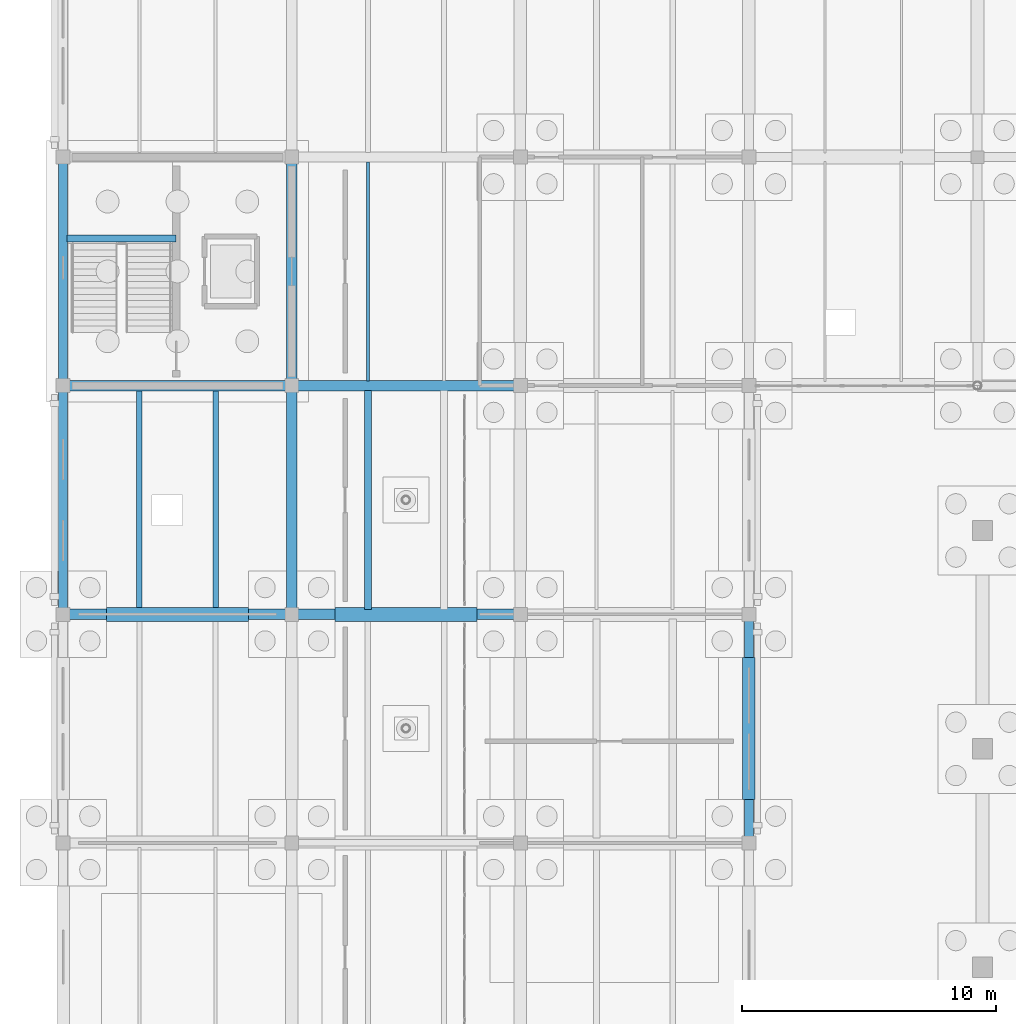
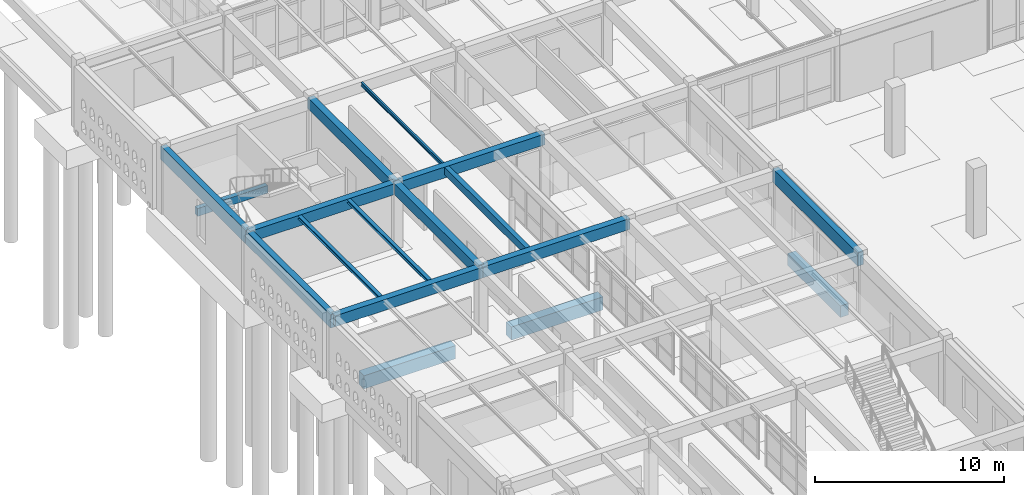
# One storey, part 52 of 186: 17 beams.
"""IFC4 building model written with IfcOpenShell, lengths in metres."""

import ifcopenshell
import ifcopenshell.guid

model = None  # the IFC model being written
_history = None  # IfcOwnerHistory: only IFC2X3 demands one
_inside = {}  # id of a spatial element -> (the spatial element, [elements in it])
_under = {}  # id of a project, library or spatial element -> (it, [spatial elements below it])
_declared = {}  # id of a project -> (the project, [libraries it declares])
_typed = {}  # id of a type object -> (the type object, [elements of that type])
_made_of = {}  # id of a material, layer set ... -> (it, [elements and type objects made of it])


def new_model(schema):
    """Start an empty IFC model of exactly this schema.

    Asked for "IFC4X3", IfcOpenShell would pick the latest addendum, in which some entities
    have other attributes; the version numbers below select the first issue.
    IFC2X3 requires an IfcOwnerHistory on every rooted entity: one is made here for all.
    """
    global model, _history
    if schema == "IFC4X3":
        model = ifcopenshell.file(schema_version=(4, 3, 0, 0))
    else:
        model = ifcopenshell.file(schema=schema)
    _inside.clear()
    _under.clear()
    _declared.clear()
    _typed.clear()
    _made_of.clear()
    _history = None
    if model.schema == "IFC2X3":
        org = make("IfcOrganization", Name="unknown")
        user = make(
            "IfcPersonAndOrganization",
            ThePerson=make("IfcPerson", FamilyName="unknown"),
            TheOrganization=org,
        )
        app = make(
            "IfcApplication",
            ApplicationDeveloper=org,
            Version="unknown",
            ApplicationFullName="unknown",
            ApplicationIdentifier="unknown",
        )
        _history = make(
            "IfcOwnerHistory",
            OwningUser=user,
            OwningApplication=app,
            ChangeAction="ADDED",
            CreationDate=0,
        )
    return model


def make(cls, **values):
    """One entity of the class cls with the attributes given. An attribute that is None is left unset."""
    return model.create_entity(
        cls, **{name: value for name, value in values.items() if value is not None}
    )


def rooted(cls, **values):
    """An entity with a GlobalId (a new one), such as an element, a storey or a relation."""
    return make(cls, GlobalId=ifcopenshell.guid.new(), OwnerHistory=_history, **values)


def si_unit(unit_type, name, prefix=None):
    """IfcSIUnit, for example si_unit("LENGTHUNIT", "METRE", prefix="MILLI")."""
    return make("IfcSIUnit", UnitType=unit_type, Prefix=prefix, Name=name)


def assignment(units):
    """IfcUnitAssignment: the units of a project."""
    return None if units is None else make("IfcUnitAssignment", Units=units)


def point(xyz):
    """IfcCartesianPoint."""
    return None if xyz is None else make("IfcCartesianPoint", Coordinates=xyz)


def direction(xyz):
    """IfcDirection."""
    return None if xyz is None else make("IfcDirection", DirectionRatios=xyz)


def frame(location, z_axis=None, x_axis=None):
    """IfcAxis2Placement3D, a coordinate frame: its origin and axes. An axis left out is left unset."""
    return make(
        "IfcAxis2Placement3D",
        Location=point(location),
        Axis=direction(z_axis),
        RefDirection=direction(x_axis),
    )


def frame_2d(location, x_axis=None):
    """IfcAxis2Placement2D, a coordinate frame in the plane: its origin and x axis."""
    return make(
        "IfcAxis2Placement2D", Location=point(location), RefDirection=direction(x_axis)
    )


def origin():
    """The frame at (0, 0, 0) with its axes left unset."""
    return frame((0.0, 0.0, 0.0))


def origin_2d():
    """The frame at (0, 0) in the plane with its x axis left unset."""
    return frame_2d((0.0, 0.0))


def place(relative_to, where):
    """IfcLocalPlacement: puts the frame where relative to a parent placement (None: the world)."""
    return make(
        "IfcLocalPlacement", PlacementRelTo=relative_to, RelativePlacement=where
    )


def context(
    kind, dimensions, precision=None, world=None, true_north=None, identifier=None
):
    """IfcGeometricRepresentationContext, for example the 3D "Model" context."""
    return make(
        "IfcGeometricRepresentationContext",
        ContextIdentifier=identifier,
        ContextType=kind,
        CoordinateSpaceDimension=dimensions,
        Precision=precision,
        WorldCoordinateSystem=world,
        TrueNorth=true_north,
    )


def subcontext(parent, identifier, kind, view, scale=None):
    """IfcGeometricRepresentationSubContext, for example "Body" below "Model"."""
    return make(
        "IfcGeometricRepresentationSubContext",
        ContextIdentifier=identifier,
        ContextType=kind,
        ParentContext=parent,
        TargetScale=scale,
        TargetView=view,
    )


def project(units=None, contexts=None):
    """IfcProject with its units and contexts."""
    return rooted(
        "IfcProject",
        Name="project",
        RepresentationContexts=contexts,
        UnitsInContext=assignment(units),
    )


def spatial(cls, under=None, at=None, **own):
    """A site, building, storey or space (cls), placed at a placement, below another one or the project."""
    s = rooted(cls, ObjectPlacement=at, **own)
    if under is not None:
        _under.setdefault(under.id(), (under, []))[1].append(s)
    return s


def profile(cls, at=None, kind="AREA", **sizes):
    """A parametric profile (cls). Its sizes go by their IFC names, for example OverallWidth=200.0."""
    return make(cls, ProfileType=kind, Position=at, **sizes)


def rectangle(**sizes):
    """IfcRectangleProfileDef."""
    return profile("IfcRectangleProfileDef", **sizes)


def i_section(**sizes):
    """IfcIShapeProfileDef."""
    return profile("IfcIShapeProfileDef", **sizes)


def extrude(swept, where, along, depth):
    """IfcExtrudedAreaSolid: the profile swept, set in the frame where, extruded along a direction by depth."""
    return make(
        "IfcExtrudedAreaSolid",
        SweptArea=swept,
        Position=where,
        ExtrudedDirection=direction(along),
        Depth=depth,
    )


def shape(context_of_items, identifier, shape_type, items):
    """IfcShapeRepresentation: the items that make up one representation, for example the "Body"."""
    return make(
        "IfcShapeRepresentation",
        ContextOfItems=context_of_items,
        RepresentationIdentifier=identifier,
        RepresentationType=shape_type,
        Items=items,
    )


def material(Name=None, Category=None):
    """IfcMaterial."""
    return make("IfcMaterial", Name=Name, Category=Category)


def material_profile(
    of_material, cross_section, Name=None, Category=None, Priority=None
):
    """IfcMaterialProfile: a cross section and its material."""
    return make(
        "IfcMaterialProfile",
        Name=Name,
        Material=of_material,
        Profile=cross_section,
        Priority=Priority,
        Category=Category,
    )


def profile_set(profiles, Name=None, composite=None):
    """IfcMaterialProfileSet."""
    return make(
        "IfcMaterialProfileSet",
        Name=Name,
        MaterialProfiles=profiles,
        CompositeProfile=composite,
    )


def made_of(thing, what):
    """Note that an element or type object is made of a material, layer set ...; save() writes the relation."""
    if what is not None:
        _made_of.setdefault(what.id(), (what, []))[1].append(thing)
    return thing


def type_object(cls, material=None, **own):
    """A type object (cls), such as IfcWallType, which elements share."""
    return made_of(rooted(cls, **own), material)


def element(
    cls,
    number,
    at=None,
    inside=None,
    cuts=None,
    type_object=None,
    material=None,
    context=None,
    identifier="Body",
    shape_type=None,
    held_by="IfcProductDefinitionShape",
    body=None,
    shapes=None,
    **own,
):
    """One element of the class cls, such as IfcWall. Its Tag is "e" and its number.

    at: its placement. inside: the storey or other place that contains it. cuts: it is an
    opening in that element (IfcRelVoidsElement). A single representation is given by context,
    identifier, shape_type and body (its items); several are given by shapes. held_by: the class
    of the entity that holds the representations. save() writes the other relations.
    """
    e = rooted(cls, Tag="e%d" % number, ObjectPlacement=at, **own)
    if body is not None:
        shapes = [shape(context, identifier, shape_type, body)]
    if shapes is not None:
        e.Representation = make(held_by, Representations=shapes)
    if inside is not None:
        _inside.setdefault(inside.id(), (inside, []))[1].append(e)
    if cuts is not None:
        rooted(
            "IfcRelVoidsElement", RelatingBuildingElement=cuts, RelatedOpeningElement=e
        )
    if type_object is not None:
        _typed.setdefault(type_object.id(), (type_object, []))[1].append(e)
    return made_of(e, material)


def aggregate(whole, parts):
    """IfcRelAggregates: a whole, such as a stair, and the parts it consists of."""
    return rooted("IfcRelAggregates", RelatingObject=whole, RelatedObjects=parts)


def save(model, path):
    """Write the relations noted so far, then the file.

    IfcRelAggregates (storeys below a building ...), IfcRelContainedInSpatialStructure (elements
    in a storey), IfcRelDefinesByType, IfcRelAssociatesMaterial and IfcRelDeclares: one each for
    every whole, place, type object, material and project.
    """
    for whole, parts in _under.values():
        aggregate(whole, parts)
    for where, things in _inside.values():
        rooted(
            "IfcRelContainedInSpatialStructure",
            RelatedElements=things,
            RelatingStructure=where,
        )
    for kind, things in _typed.values():
        rooted("IfcRelDefinesByType", RelatedObjects=things, RelatingType=kind)
    for what, things in _made_of.values():
        rooted("IfcRelAssociatesMaterial", RelatedObjects=things, RelatingMaterial=what)
    for by, libraries in _declared.values():
        rooted("IfcRelDeclares", RelatingContext=by, RelatedDefinitions=libraries)
    model.write(path)


model = new_model("IFC4")

# Units and contexts
model_context = context("Model", 3, precision=1e-05, world=origin(), true_north=direction((0.0, 1.0)))
body_context = subcontext(model_context, "Body", "Model", "MODEL_VIEW")
ifc_project = project(units=[si_unit("LENGTHUNIT", "METRE"), si_unit("AREAUNIT", "SQUARE_METRE"), si_unit("VOLUMEUNIT", "CUBIC_METRE"), si_unit("PLANEANGLEUNIT", "RADIAN"), si_unit("MASSUNIT", "GRAM", prefix="KILO")], contexts=[model_context])

# Site, building, storey
site_placement = place(None, origin())
site = spatial("IfcSite", under=ifc_project, at=site_placement, CompositionType="ELEMENT")
building_placement = place(site_placement, origin())
building = spatial("IfcBuilding", under=site, at=building_placement, Name="Ornek Quay Market", CompositionType="ELEMENT")
storey_placement = place(building_placement, origin())
storey = spatial("IfcBuildingStorey", under=building, at=storey_placement, Name="L00", CompositionType="ELEMENT", Elevation=0.0)

# Beams
ifc_material_1 = material(Name="Concrete C35/45", Category="concrete")
ifc_material_profile_1 = material_profile(ifc_material_1, rectangle(XDim=0.5, YDim=0.75, at=origin_2d()), Name="RC 500x750", Category="concrete")
ifc_profile_set_1 = profile_set([ifc_material_profile_1], Name="Concrete C35/45")
beam_type_1 = type_object("IfcBeamType", Name="BM-GB-500x750", PredefinedType="BEAM", material=ifc_profile_set_1)
beam_1_placement = place(storey_placement, frame((27.0, 75.699951171875, -0.574951171875), z_axis=(0.0, 1.0, 0.0), x_axis=(-1.0, 0.0, 0.0)))
element("IfcBeam", 1, at=beam_1_placement, inside=storey, type_object=beam_type_1, Name="Ground tie beam GB-083", PredefinedType="BEAM", context=body_context, shape_type="SweptSolid", body=[
    extrude(rectangle(XDim=0.5, YDim=0.75, at=origin_2d()), origin(), (0.0, 0.0, 1.0), 5.60009765625),
])
ifc_material_profile_2 = material_profile(ifc_material_1, rectangle(XDim=0.550048828125, YDim=0.85009765625, at=origin_2d()), Name="RC 550x850", Category="concrete")
ifc_profile_set_2 = profile_set([ifc_material_profile_2], Name="Concrete C35/45")
beam_type_2 = type_object("IfcBeamType", Name="BM-GB-550x850", PredefinedType="BEAM", material=ifc_profile_set_2)
for number, where, z_axis, x_axis, name in (
    (2, (1.699951171875, 83.0, -0.625), (1.0, 0.0, 0.0), (0.0, 1.0, 0.0), "Ground tie beam GB-030"),
    (3, (10.699951171875, 83.0, -0.625), (1.0, 0.0, 0.0), (0.0, 1.0, 0.0), "Ground tie beam GB-031"),
):
    element("IfcBeam", number, at=place(storey_placement, frame(where, z_axis=z_axis, x_axis=x_axis)), inside=storey, type_object=beam_type_2, Name=name, PredefinedType="BEAM", context=body_context, shape_type="SweptSolid", body=[
        extrude(rectangle(XDim=0.550048828125, YDim=0.85009765625, at=origin_2d()), origin(), (0.0, 0.0, 1.0), 5.60009765625),
    ])
ifc_material_profile_3 = material_profile(ifc_material_1, rectangle(XDim=0.280029296875, YDim=0.5, at=origin_2d()), Name="RC 280x500", Category="concrete")
ifc_profile_set_3 = profile_set([ifc_material_profile_3], Name="Concrete C35/45")
beam_type_3 = type_object("IfcBeamType", Name="BM-SEC-280x500", PredefinedType="JOIST", material=ifc_profile_set_3)
beam_2_placement = place(storey_placement, frame((12.0, 83.19189453125, 3.969970703125), z_axis=(0.0, 1.0, 0.0), x_axis=(-1.0, 0.0, 0.0)))
element("IfcBeam", 4, at=beam_2_placement, inside=storey, type_object=beam_type_3, Name="Secondary joist B-SC2-025", PredefinedType="JOIST", context=body_context, shape_type="SweptSolid", body=[
    extrude(rectangle(XDim=0.280029296875, YDim=0.5, at=origin_2d()), origin(), (0.0, 0.0, 1.0), 8.6162109375),
])
beam_3_placement = place(storey_placement, frame((0.14990234375, 97.7919921875, 1.8349609375), z_axis=(1.0, 0.0, 0.0), x_axis=(0.0, 1.0, 0.0)))
element("IfcBeam", 5, at=beam_3_placement, inside=storey, type_object=beam_type_3, Name="Stair landing beam BL-01", PredefinedType="JOIST", context=body_context, shape_type="SweptSolid", body=[
    extrude(rectangle(XDim=0.280029296875, YDim=0.5, at=origin_2d()), origin(), (0.0, 0.0, 1.0), 4.300048828125),
])
ifc_material_2 = material(Name="Concrete C40/50", Category="concrete")
ifc_material_profile_4 = material_profile(ifc_material_2, rectangle(XDim=0.35009765625, YDim=0.85009765625, at=origin_2d()), Name="RC 350x850", Category="concrete")
ifc_profile_set_4 = profile_set([ifc_material_profile_4], Name="Concrete C40/50")
beam_type_4 = type_object("IfcBeamType", Name="BM-SPN-350x850", PredefinedType="SPANDREL", material=ifc_profile_set_4)
for number, where, z_axis, x_axis, name in (
    (6, (0.0, 83.0, 3.794921875), (0.0, 1.0, 0.0), (-1.0, 0.0, 0.0), "Primary beam B-SP1-057"),
    (7, (0.0, 92.0, 3.794921875), (0.0, 1.0, 0.0), (-1.0, 0.0, 0.0), "Primary beam B-SP1-058"),
    (8, (27.0, 74.0, 3.794921875), (0.0, 1.0, 0.0), (-1.0, 0.0, 0.0), "Primary beam B-SP1-066"),
):
    element("IfcBeam", number, at=place(storey_placement, frame(where, z_axis=z_axis, x_axis=x_axis)), inside=storey, type_object=beam_type_4, Name=name, PredefinedType="SPANDREL", context=body_context, shape_type="SweptSolid", body=[
        extrude(rectangle(XDim=0.35009765625, YDim=0.85009765625, at=origin_2d()), origin(), (0.0, 0.0, 1.0), 9.0),
    ])
ifc_material_3 = material(Name="Steel S355", Category="steel")
ifc_material_profile_5 = material_profile(ifc_material_3, i_section(OverallWidth=0.219970703125, OverallDepth=0.2099609375, WebThickness=0.007080078125, FlangeThickness=0.010986328125, FilletRadius=0.01806640625, at=origin_2d()), Name="HEA 220", Category="steel")
ifc_profile_set_5 = profile_set([ifc_material_profile_5], Name="Steel S355")
beam_type_5 = type_object("IfcBeamType", Name="BM-STL-HEA220", PredefinedType="BEAM", material=ifc_profile_set_5)
for number, where, z_axis, x_axis, name in (
    (9, (3.0, 83.19189453125, 4.114990234375), (0.0, 1.0, 0.0), (-1.0, 0.0, 0.0), "Secondary joist SB-13-003"),
    (10, (6.0, 83.19189453125, 4.114990234375), (0.0, 1.0, 0.0), (-1.0, 0.0, 0.0), "Secondary joist SB-13-004"),
):
    element("IfcBeam", number, at=place(storey_placement, frame(where, z_axis=z_axis, x_axis=x_axis)), inside=storey, type_object=beam_type_5, Name=name, PredefinedType="BEAM", context=body_context, shape_type="SweptSolid", body=[
        extrude(i_section(OverallWidth=0.219970703125, OverallDepth=0.2099609375, WebThickness=0.007080078125, FlangeThickness=0.010986328125, FilletRadius=0.01806640625, at=origin_2d()), origin(), (0.0, 0.0, 1.0), 8.6162109375),
    ])
ifc_material_profile_6 = material_profile(ifc_material_3, i_section(OverallWidth=0.1201171875, OverallDepth=0.239990234375, WebThickness=0.006103515625, FlangeThickness=0.009765625, FilletRadius=0.014892578125, at=origin_2d()), Name="IPE 240", Category="steel")
ifc_profile_set_6 = profile_set([ifc_material_profile_6], Name="Steel S355")
beam_type_6 = type_object("IfcBeamType", Name="BM-STL-IPE240", PredefinedType="JOIST", material=ifc_profile_set_6)
beam_4_placement = place(storey_placement, frame((12.0, 92.19189453125, 4.10009765625), z_axis=(0.0, 1.0, 0.0), x_axis=(-1.0, 0.0, 0.0)))
element("IfcBeam", 11, at=beam_4_placement, inside=storey, type_object=beam_type_6, Name="Secondary joist SB-04-011", PredefinedType="JOIST", context=body_context, shape_type="SweptSolid", body=[
    extrude(i_section(OverallWidth=0.1201171875, OverallDepth=0.239990234375, WebThickness=0.006103515625, FlangeThickness=0.009765625, FilletRadius=0.014892578125, at=origin_2d()), origin(), (0.0, 0.0, 1.0), 8.6162109375),
])
ifc_material_profile_7 = material_profile(ifc_material_1, rectangle(XDim=0.39990234375, YDim=0.699951171875, at=origin_2d()), Name="RC 400x700", Category="concrete")
ifc_profile_set_7 = profile_set([ifc_material_profile_7], Name="Concrete C35/45")
beam_type_7 = type_object("IfcBeamType", Name="BM-WW-400x700", PredefinedType="BEAM", material=ifc_profile_set_7)
for number, where, z_axis, x_axis, name in (
    (12, (0.0, 83.0, 3.8701171875), (1.0, 0.0, 0.0), (0.0, 1.0, 0.0), "Primary beam B-WW1-019"),
    (13, (9.0, 83.0, 3.8701171875), (1.0, 0.0, 0.0), (0.0, 1.0, 0.0), "Primary beam B-WW1-020"),
    (14, (0.0, 92.0, 3.8701171875), (1.0, 0.0, 0.0), (0.0, 1.0, 0.0), "Primary beam B-WW1-022"),
    (15, (9.0, 92.0, 3.8701171875), (1.0, 0.0, 0.0), (0.0, 1.0, 0.0), "Primary beam B-WW1-023"),
    (16, (9.0, 83.0, 3.8701171875), (0.0, 1.0, 0.0), (-1.0, 0.0, 0.0), "Primary beam B-WW1-035"),
    (17, (9.0, 92.0, 3.8701171875), (0.0, 1.0, 0.0), (-1.0, 0.0, 0.0), "Primary beam B-WW1-036"),
):
    element("IfcBeam", number, at=place(storey_placement, frame(where, z_axis=z_axis, x_axis=x_axis)), inside=storey, type_object=beam_type_7, Name=name, PredefinedType="BEAM", context=body_context, shape_type="SweptSolid", body=[
        extrude(rectangle(XDim=0.39990234375, YDim=0.699951171875, at=origin_2d()), origin(), (0.0, 0.0, 1.0), 9.0),
    ])

save(model, "model.ifc")
